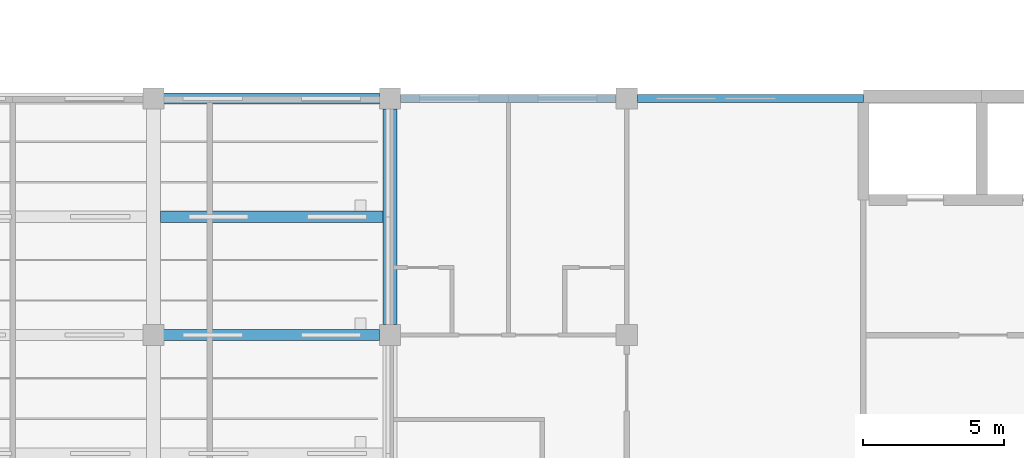
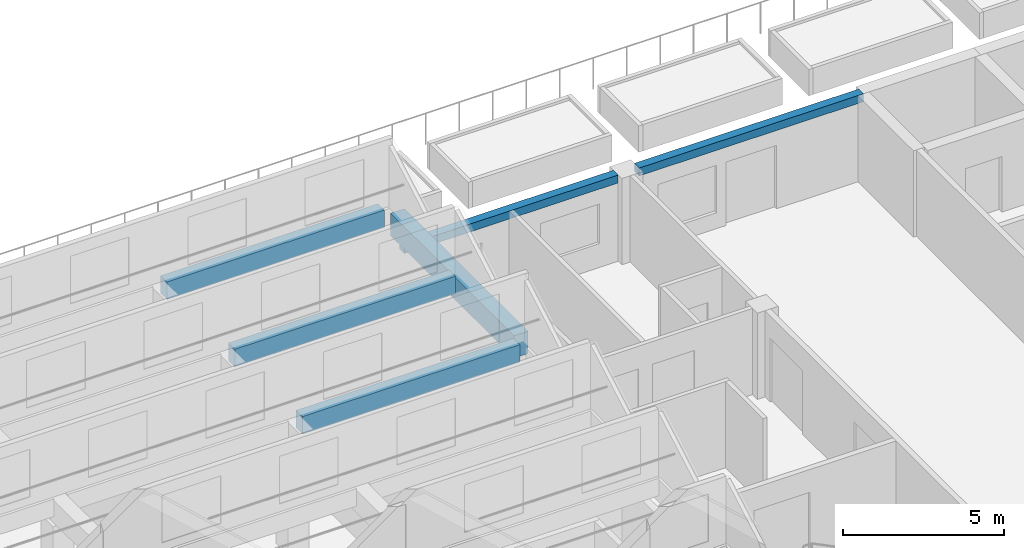
# One storey, part 13 of 61: 6 beams.
"""IFC4 building model written with IfcOpenShell, lengths in metres."""

from ifc_helpers import new_model, si_unit, direction, frame, origin, origin_2d, place, context, subcontext, project, spatial, rectangle, extrude, material, material_profile, profile_set, type_object, element, save


model = new_model("IFC4")

# Units and contexts
model_context = context("Model", 3, precision=1e-05, world=origin(), true_north=direction((0.0, 1.0)))
body_context = subcontext(model_context, "Body", "Model", "MODEL_VIEW")
ifc_project = project(units=[si_unit("LENGTHUNIT", "METRE"), si_unit("AREAUNIT", "SQUARE_METRE"), si_unit("VOLUMEUNIT", "CUBIC_METRE"), si_unit("PLANEANGLEUNIT", "RADIAN"), si_unit("MASSUNIT", "GRAM", prefix="KILO")], contexts=[model_context])

# Site, building, storey
site_placement = place(None, origin())
site = spatial("IfcSite", under=ifc_project, at=site_placement, CompositionType="ELEMENT")
building_placement = place(site_placement, origin())
building = spatial("IfcBuilding", under=site, at=building_placement, Name="Yavir Park General Hospital", CompositionType="ELEMENT")
storey_placement = place(building_placement, frame((0.0, 0.0, 15.300048828125)))
storey = spatial("IfcBuildingStorey", under=building, at=storey_placement, Name="L03", CompositionType="ELEMENT", Elevation=15.300048828125)

# Beams
ifc_material_1 = material(Name="Concrete C35/45", Category="concrete")
ifc_material_profile_1 = material_profile(ifc_material_1, rectangle(XDim=0.300048828125, YDim=0.300048828125, at=origin_2d()), Name="RC300x300")
ifc_profile_set_1 = profile_set([ifc_material_profile_1], Name="Concrete C35/45")
beam_type_1 = type_object("IfcBeamType", Name="RC BEAM 300x300 edge beam", PredefinedType="BEAM", material=ifc_profile_set_1)
beam_1_placement = place(storey_placement, frame((101.175048828125, 25.199951171875, 3.10986328125), z_axis=(1.0, 0.0, 0.0), x_axis=(0.0, 1.0, 0.0)))
element("IfcBeam", 1, at=beam_1_placement, inside=storey, type_object=beam_type_1, Name="B:EDGE:L03:012", PredefinedType="BEAM", context=body_context, shape_type="SweptSolid", body=[
    extrude(rectangle(XDim=0.300048828125, YDim=0.300048828125, at=origin_2d()), origin(), (0.0, 0.0, 1.0), 7.64990234375),
])
beam_2_placement = place(storey_placement, frame((109.574951171875, 25.199951171875, 3.10986328125), z_axis=(1.0, 0.0, 0.0), x_axis=(0.0, 1.0, 0.0)))
element("IfcBeam", 2, at=beam_2_placement, inside=storey, type_object=beam_type_1, Name="B:EDGE:L03:013", PredefinedType="BEAM", context=body_context, shape_type="SweptSolid", body=[
    extrude(rectangle(XDim=0.300048828125, YDim=0.300048828125, at=origin_2d()), origin(), (0.0, 0.0, 1.0), 8.025146484375),
])
ifc_material_2 = material(Name="Concrete C35/45", Category="concrete")
ifc_material_profile_2 = material_profile(ifc_material_2, rectangle(XDim=0.39990234375, YDim=0.659912109375, at=origin_2d()), Name="RC400x660")
ifc_profile_set_2 = profile_set([ifc_material_profile_2], Name="Concrete C35/45")
beam_type_2 = type_object("IfcBeamType", Name="RC BEAM 400x660 sawtooth kerb beam", PredefinedType="BEAM", material=ifc_profile_set_2)
beam_3_placement = place(storey_placement, frame((92.64990234375, 16.800048828125, 4.573974609375), z_axis=(1.0, 0.0, 0.0), x_axis=(0.0, 1.0, 0.0)))
element("IfcBeam", 3, at=beam_3_placement, inside=storey, type_object=beam_type_2, Name="B:SAW:K4:6", PredefinedType="BEAM", context=body_context, shape_type="SweptSolid", body=[
    extrude(rectangle(XDim=0.39990234375, YDim=0.659912109375, at=origin_2d()), origin(), (0.0, 0.0, 1.0), 7.775146484375),
])
beam_4_placement = place(storey_placement, frame((92.64990234375, 21.0, 4.573974609375), z_axis=(1.0, 0.0, 0.0), x_axis=(0.0, 1.0, 0.0)))
element("IfcBeam", 4, at=beam_4_placement, inside=storey, type_object=beam_type_2, Name="B:SAW:K5:6", PredefinedType="BEAM", context=body_context, shape_type="SweptSolid", body=[
    extrude(rectangle(XDim=0.39990234375, YDim=0.659912109375, at=origin_2d()), origin(), (0.0, 0.0, 1.0), 7.900146484375),
])
beam_5_placement = place(storey_placement, frame((92.64990234375, 25.199951171875, 4.573974609375), z_axis=(1.0, 0.0, 0.0), x_axis=(0.0, 1.0, 0.0)))
element("IfcBeam", 5, at=beam_5_placement, inside=storey, type_object=beam_type_2, Name="B:SAW:K6:6", PredefinedType="BEAM", context=body_context, shape_type="SweptSolid", body=[
    extrude(rectangle(XDim=0.39990234375, YDim=0.659912109375, at=origin_2d()), origin(), (0.0, 0.0, 1.0), 7.775146484375),
])
ifc_material_3 = material(Name="Concrete C35/45", Category="concrete")
ifc_material_profile_3 = material_profile(ifc_material_3, rectangle(XDim=0.5, YDim=0.846923828125, at=origin_2d()), Name="RC500x847")
ifc_profile_set_3 = profile_set([ifc_material_profile_3], Name="Concrete C35/45")
beam_type_3 = type_object("IfcBeamType", Name="RC BEAM 500x847 sawtooth girder", PredefinedType="BEAM", material=ifc_profile_set_3)
beam_6_placement = place(storey_placement, frame((100.800048828125, 17.175048828125, 4.42333984375), z_axis=(0.0, 1.0, 0.0), x_axis=(-1.0, 0.0, 0.0)))
element("IfcBeam", 6, at=beam_6_placement, inside=storey, type_object=beam_type_3, Name="B:SAW:G7:1", PredefinedType="BEAM", context=body_context, shape_type="SweptSolid", body=[
    extrude(rectangle(XDim=0.5, YDim=0.846923828125, at=origin_2d()), origin(), (0.0, 0.0, 1.0), 7.64990234375),
])

save(model, "model.ifc")
